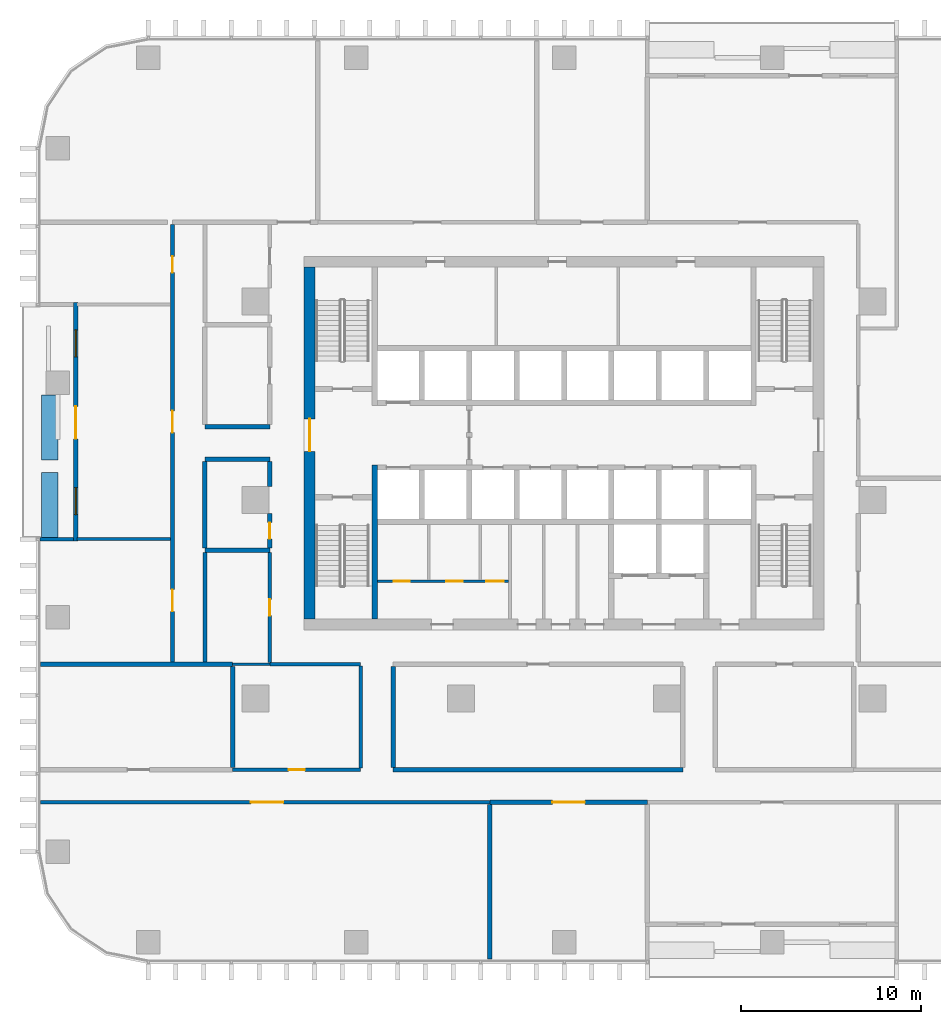
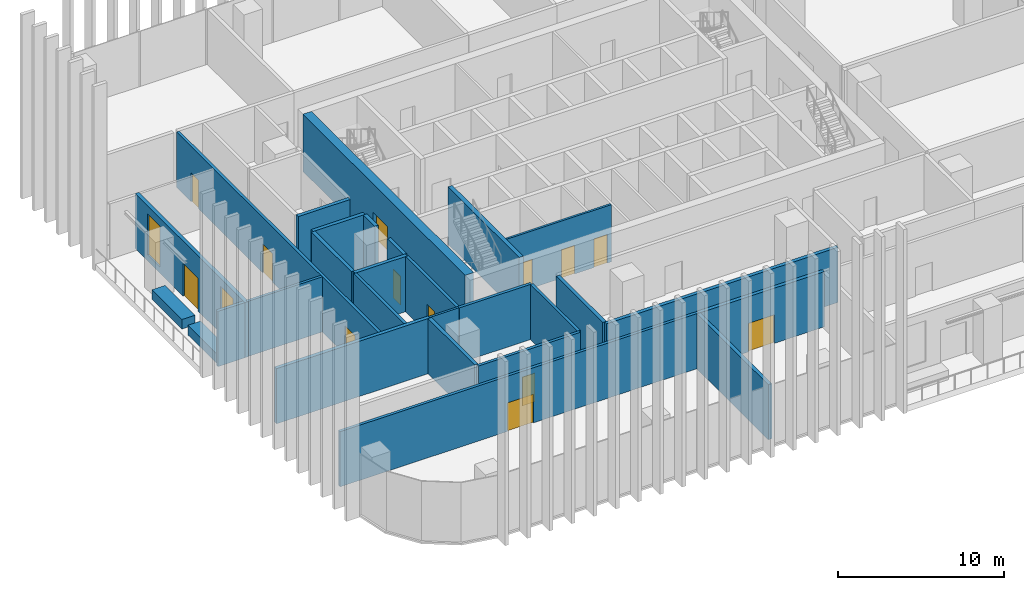
# One storey, part 7 of 17: 28 walls, 13 doors, 2 windows, 15 openings.
"""IFC4 building model written with IfcOpenShell, lengths in metres."""

from ifc_helpers import new_model, si_unit, direction, frame, frame_2d, origin, place, context, subcontext, project, spatial, rectangle, extrude, material, layer, layer_set, type_object, element, fill, save


model = new_model("IFC4")

# Units and contexts
model_context = context("Model", 3, precision=1e-05, world=origin(), true_north=direction((0.0, 1.0)))
body_context = subcontext(model_context, "Body", "Model", "MODEL_VIEW")
ifc_project = project(units=[si_unit("LENGTHUNIT", "METRE"), si_unit("AREAUNIT", "SQUARE_METRE"), si_unit("VOLUMEUNIT", "CUBIC_METRE"), si_unit("PLANEANGLEUNIT", "RADIAN"), si_unit("MASSUNIT", "GRAM", prefix="KILO")], contexts=[model_context])

# Site, building, storey
site_placement = place(None, origin())
site = spatial("IfcSite", under=ifc_project, at=site_placement, CompositionType="ELEMENT")
building_placement = place(site_placement, origin())
building = spatial("IfcBuilding", under=site, at=building_placement, Name="Mopane Tessera Tower", CompositionType="ELEMENT")
storey_placement = place(building_placement, frame((0.0, 0.0, 108.10009765625)))
storey = spatial("IfcBuildingStorey", under=building, at=storey_placement, Name="L21", CompositionType="ELEMENT", Elevation=108.10009765625)

# Wall, openings, doors
ifc_material_1 = material(Name="Fire-rated gypsum board partition")
ifc_layer_1 = layer(ifc_material_1, 0.14990234375)
ifc_layer_set_1 = layer_set([ifc_layer_1], Name="Fire-rated gypsum board partition")
wall_type_1 = type_object("IfcWallType", Name="Core room partition 150 mm", PredefinedType="PARTITIONING", material=ifc_layer_set_1)
wall_1_placement = place(storey_placement, frame((-10.35009765625, -4.5, 0.0), z_axis=(0.0, 0.0, 1.0), x_axis=(1.0, 0.0, 0.0)))
wall_1 = element("IfcWall", 1, at=wall_1_placement, inside=storey, type_object=wall_type_1, Name="L21 WC partition", PredefinedType="PARTITIONING", context=body_context, shape_type="SweptSolid", body=[
    extrude(rectangle(XDim=7.275146484375, YDim=0.14990234375, at=frame_2d((3.6376953125, 0.0))), origin(), (0.0, 0.0, 1.0), 4.199951171875),
])
opening_1_placement = place(wall_1_placement, frame((0.89990234375, 0.0, 0.0)))
opening_1 = element("IfcOpeningElement", 2, at=opening_1_placement, cuts=wall_1, Name="Opening WD1", PredefinedType="OPENING", context=body_context, shape_type="SweptSolid", body=[
    extrude(rectangle(XDim=0.89990234375, YDim=2.10009765625, at=frame_2d((0.449951171875, 1.050048828125))), frame((0.0, 0.0869140625, 0.0), z_axis=(0.0, -1.0, 0.0), x_axis=(1.0, 0.0, 0.0)), (0.0, 0.0, 1.0), 0.173828125),
])
opening_2_placement = place(wall_1_placement, frame((3.824951171875, 0.0, 0.0)))
opening_2 = element("IfcOpeningElement", 3, at=opening_2_placement, cuts=wall_1, Name="Opening WD1", PredefinedType="OPENING", context=body_context, shape_type="SweptSolid", body=[
    extrude(rectangle(XDim=0.89990234375, YDim=2.10009765625, at=frame_2d((0.449951171875, 1.050048828125))), frame((0.0, 0.0869140625, 0.0), z_axis=(0.0, -1.0, 0.0), x_axis=(1.0, 0.0, 0.0)), (0.0, 0.0, 1.0), 0.173828125),
])
opening_3_placement = place(wall_1_placement, frame((6.050048828125, 0.0, 0.0)))
opening_3 = element("IfcOpeningElement", 4, at=opening_3_placement, cuts=wall_1, Name="Opening WD2", PredefinedType="OPENING", context=body_context, shape_type="SweptSolid", body=[
    extrude(rectangle(XDim=0.949951171875, YDim=2.10009765625, at=frame_2d((0.47509765625, 1.050048828125))), frame((0.0, 0.0869140625, 0.0), z_axis=(0.0, -1.0, 0.0), x_axis=(1.0, 0.0, 0.0)), (0.0, 0.0, 1.0), 0.173828125),
])
ifc_material_2 = material(Name="Timber door", Category="wood")
door_type_1 = type_object("IfcDoorType", Name="Accessible WC door 950 x 2100", OperationType="SINGLE_SWING_LEFT", PredefinedType="DOOR", material=ifc_material_2)
door_1_placement = place(opening_3_placement, origin())
door_1 = element("IfcDoor", 5, at=door_1_placement, inside=storey, type_object=door_type_1, Name="L21 Accessible WC door", OperationType="SINGLE_SWING_LEFT", OverallHeight=2.10009765625, OverallWidth=0.949951171875, PredefinedType="DOOR", context=body_context, shape_type="SweptSolid", body=[
    extrude(rectangle(XDim=0.949951171875, YDim=2.10009765625, at=frame_2d((0.47509765625, 1.050048828125))), frame((0.0, 0.02490234375, 0.0), z_axis=(0.0, -1.0, 0.0), x_axis=(1.0, 0.0, 0.0)), (0.0, 0.0, 1.0), 0.050048828125),
])
fill(opening_3, door_1)
ifc_material_3 = material(Name="Timber door", Category="wood")
door_type_2 = type_object("IfcDoorType", Name="WC cubicle door 900 x 2100", OperationType="SINGLE_SWING_LEFT", PredefinedType="DOOR", material=ifc_material_3)
door_2_placement = place(opening_1_placement, origin())
door_2 = element("IfcDoor", 6, at=door_2_placement, inside=storey, type_object=door_type_2, Name="L21 Men's WC door", OperationType="SINGLE_SWING_LEFT", OverallHeight=2.10009765625, OverallWidth=0.89990234375, PredefinedType="DOOR", context=body_context, shape_type="SweptSolid", body=[
    extrude(rectangle(XDim=0.89990234375, YDim=2.10009765625, at=frame_2d((0.449951171875, 1.050048828125))), frame((0.0, 0.02490234375, 0.0), z_axis=(0.0, -1.0, 0.0), x_axis=(1.0, 0.0, 0.0)), (0.0, 0.0, 1.0), 0.050048828125),
])
fill(opening_1, door_2)
door_3_placement = place(opening_2_placement, origin())
door_3 = element("IfcDoor", 7, at=door_3_placement, inside=storey, type_object=door_type_2, Name="L21 Women's WC door", OperationType="SINGLE_SWING_LEFT", OverallHeight=2.10009765625, OverallWidth=0.89990234375, PredefinedType="DOOR", context=body_context, shape_type="SweptSolid", body=[
    extrude(rectangle(XDim=0.89990234375, YDim=2.10009765625, at=frame_2d((0.449951171875, 1.050048828125))), frame((0.0, 0.02490234375, 0.0), z_axis=(0.0, -1.0, 0.0), x_axis=(1.0, 0.0, 0.0)), (0.0, 0.0, 1.0), 0.050048828125),
])
fill(opening_2, door_3)

# Wall, opening, door
ifc_material_4 = material(Name="Concrete C70/85", Category="concrete")
ifc_layer_2 = layer(ifc_material_4, 0.60009765625)
ifc_layer_set_2 = layer_set([ifc_layer_2], Name="Concrete C70/85")
wall_type_2 = type_object("IfcWallType", Name="Core shear wall 600 mm", PredefinedType="SHEAR", material=ifc_layer_set_2)
wall_2_placement = place(storey_placement, frame((-14.10009765625, -6.60009765625, 0.0), z_axis=(0.0, 0.0, 1.0), x_axis=(0.0, 1.0, 0.0)))
wall_2 = element("IfcWall", 8, at=wall_2_placement, inside=storey, type_object=wall_type_2, Name="L21 Core wall west", PredefinedType="SHEAR", context=body_context, shape_type="SweptSolid", body=[
    extrude(rectangle(XDim=19.5, YDim=0.60009765625, at=frame_2d((9.75, 0.0))), origin(), (0.0, 0.0, 1.0), 4.199951171875),
])
opening_4_placement = place(wall_2_placement, frame((9.300048828125, 0.0, 0.0)))
opening_4 = element("IfcOpeningElement", 9, at=opening_4_placement, cuts=wall_2, Name="Opening SD2", PredefinedType="OPENING", context=body_context, shape_type="SweptSolid", body=[
    extrude(rectangle(XDim=1.800048828125, YDim=2.10009765625, at=frame_2d((0.89990234375, 1.050048828125))), frame((0.0, 0.31201171875, 0.0), z_axis=(0.0, -1.0, 0.0), x_axis=(1.0, 0.0, 0.0)), (0.0, 0.0, 1.0), 0.6240234375),
])
ifc_material_5 = material(Name="Steel fire door", Category="steel")
door_type_3 = type_object("IfcDoorType", Name="Core entrance double door 1800 x 2100", OperationType="DOUBLE_DOOR_SINGLE_SWING", PredefinedType="DOOR", material=ifc_material_5)
door_4_placement = place(opening_4_placement, origin())
door_4 = element("IfcDoor", 10, at=door_4_placement, inside=storey, type_object=door_type_3, Name="L21 Core entrance door west", OperationType="DOUBLE_DOOR_SINGLE_SWING", OverallHeight=2.10009765625, OverallWidth=1.800048828125, PredefinedType="DOOR", context=body_context, shape_type="SweptSolid", body=[
    extrude(rectangle(XDim=1.800048828125, YDim=2.10009765625, at=frame_2d((0.89990234375, 1.050048828125))), frame((0.0, 0.02490234375, 0.0), z_axis=(0.0, -1.0, 0.0), x_axis=(1.0, 0.0, 0.0)), (0.0, 0.0, 1.0), 0.050048828125),
])
fill(opening_4, door_4)

# Walls
ifc_material_6 = material(Name="Concrete C60/75", Category="concrete")
ifc_layer_3 = layer(ifc_material_6, 0.300048828125)
ifc_layer_set_3 = layer_set([ifc_layer_3], Name="Concrete C60/75")
wall_type_3 = type_object("IfcWallType", Name="Core spine wall 300 mm", PredefinedType="SHEAR", material=ifc_layer_set_3)
wall_3_placement = place(storey_placement, frame((-10.5, -6.60009765625, 0.0), z_axis=(0.0, 0.0, 1.0), x_axis=(0.0, 1.0, 0.0)))
element("IfcWall", 11, at=wall_3_placement, inside=storey, type_object=wall_type_3, Name="L21 Core spine wall", PredefinedType="SHEAR", context=body_context, shape_type="SweptSolid", body=[
    extrude(rectangle(XDim=8.550048828125, YDim=0.300048828125, at=frame_2d((4.27490234375, 0.0))), origin(), (0.0, 0.0, 1.0), 4.199951171875),
])
ifc_material_7 = material(Name="Gypsum board on staggered steel studs, double layer each face, acoustic mineral wool infill", Category="steel")
ifc_layer_4 = layer(ifc_material_7, 0.175048828125)
ifc_layer_set_4 = layer_set([ifc_layer_4], Name="Gypsum board on staggered steel studs, double layer each face, acoustic mineral wool infill")
wall_type_4 = type_object("IfcWallType", Name="Gypsum board acoustic partition 175, rated EI 60", PredefinedType="PARTITIONING", material=ifc_layer_set_4)
wall_4_placement = place(storey_placement, frame((-27.0, -2.1650390625, 0.0), z_axis=(0.0, 0.0, 1.0), x_axis=(1.0, 0.0, 0.0)))
element("IfcWall", 12, at=wall_4_placement, inside=storey, type_object=wall_type_4, Name="Partition L21:015", PredefinedType="PARTITIONING", context=body_context, shape_type="SweptSolid", body=[
    extrude(rectangle(XDim=5.199951171875, YDim=0.175048828125, at=frame_2d((2.60009765625, 0.0))), origin(), (0.0, 0.0, 1.0), 4.0498046875),
])

# Wall, opening, door
ifc_material_8 = material(Name="Gypsum board on steel studs, two layers each face, mineral wool infill", Category="steel")
ifc_layer_5 = layer(ifc_material_8, 0.199951171875)
ifc_layer_set_5 = layer_set([ifc_layer_5], Name="Gypsum board on steel studs, two layers each face, mineral wool infill")
wall_type_5 = type_object("IfcWallType", Name="Gypsum board corridor wall 200, rated EI 60", PredefinedType="PARTITIONING", material=ifc_layer_set_5)
wall_5_placement = place(storey_placement, frame((-29.0, -16.75, 0.0), z_axis=(0.0, 0.0, 1.0), x_axis=(1.0, 0.0, 0.0)))
wall_5 = element("IfcWall", 13, at=wall_5_placement, inside=storey, type_object=wall_type_5, Name="Partition L21:000", PredefinedType="PARTITIONING", context=body_context, shape_type="SweptSolid", body=[
    extrude(rectangle(XDim=24.885009765625, YDim=0.199951171875, at=frame_2d((12.4423828125, 0.0))), origin(), (0.0, 0.0, 1.0), 4.0498046875),
])
opening_5_placement = place(wall_5_placement, frame((11.642578125, 0.0, 0.0)))
opening_5 = element("IfcOpeningElement", 14, at=opening_5_placement, cuts=wall_5, Name="Opening L21-08", PredefinedType="OPENING", context=body_context, shape_type="SweptSolid", body=[
    extrude(rectangle(XDim=1.800048828125, YDim=2.10009765625, at=frame_2d((0.89990234375, 1.050048828125))), frame((0.0, 0.112060546875, 0.0), z_axis=(0.0, -1.0, 0.0), x_axis=(1.0, 0.0, 0.0)), (0.0, 0.0, 1.0), 0.223876953125),
])
ifc_material_9 = material(Name="Timber veneered steel-framed fire door", Category="steel")
door_type_4 = type_object("IfcDoorType", Name="Fire door pair FD60 1800 x 2100", OperationType="DOUBLE_DOOR_SINGLE_SWING", PredefinedType="DOOR", material=ifc_material_9)
door_5_placement = place(opening_5_placement, origin())
door_5 = element("IfcDoor", 15, at=door_5_placement, inside=storey, type_object=door_type_4, Name="Door L21-08", ObjectType="D20A", OperationType="DOUBLE_DOOR_SINGLE_SWING", OverallHeight=2.10009765625, OverallWidth=1.800048828125, PredefinedType="DOOR", context=body_context, shape_type="SweptSolid", body=[
    extrude(rectangle(XDim=1.800048828125, YDim=2.10009765625, at=frame_2d((0.89990234375, 1.050048828125))), frame((0.0, 0.02490234375, 0.0), z_axis=(0.0, -1.0, 0.0), x_axis=(1.0, 0.0, 0.0)), (0.0, 0.0, 1.0), 0.050048828125),
])
fill(opening_5, door_5)

wall_6_placement = place(storey_placement, frame((-18.364990234375, -14.949951171875, 0.0), z_axis=(0.0, 0.0, 1.0), x_axis=(1.0, 0.0, 0.0)))
wall_6 = element("IfcWall", 16, at=wall_6_placement, inside=storey, type_object=wall_type_5, Name="Partition L21:003", PredefinedType="PARTITIONING", context=body_context, shape_type="SweptSolid", body=[
    extrude(rectangle(XDim=7.094970703125, YDim=0.199951171875, at=frame_2d((3.54736328125, 0.0))), origin(), (0.0, 0.0, 1.0), 4.0498046875),
])
opening_6_placement = place(wall_6_placement, frame((3.097412109375, 0.0, 0.0)))
opening_6 = element("IfcOpeningElement", 17, at=opening_6_placement, cuts=wall_6, Name="Opening L21-14", PredefinedType="OPENING", context=body_context, shape_type="SweptSolid", body=[
    extrude(rectangle(XDim=0.89990234375, YDim=2.10009765625, at=frame_2d((0.449951171875, 1.050048828125))), frame((0.0, 0.112060546875, 0.0), z_axis=(0.0, -1.0, 0.0), x_axis=(1.0, 0.0, 0.0)), (0.0, 0.0, 1.0), 0.223876953125),
])
ifc_material_10 = material(Name="Timber veneered steel-framed fire door", Category="steel")
door_type_5 = type_object("IfcDoorType", Name="Fire door FD60 900 x 2100", OperationType="SINGLE_SWING_LEFT", PredefinedType="DOOR", material=ifc_material_10)
door_6_placement = place(opening_6_placement, origin())
door_6 = element("IfcDoor", 18, at=door_6_placement, inside=storey, type_object=door_type_5, Name="Door L21-14", ObjectType="D10A", OperationType="SINGLE_SWING_LEFT", OverallHeight=2.10009765625, OverallWidth=0.89990234375, PredefinedType="DOOR", context=body_context, shape_type="SweptSolid", body=[
    extrude(rectangle(XDim=0.89990234375, YDim=2.10009765625, at=frame_2d((0.449951171875, 1.050048828125))), frame((0.0, 0.02490234375, 0.0), z_axis=(0.0, -1.0, 0.0), x_axis=(1.0, 0.0, 0.0)), (0.0, 0.0, 1.0), 0.050048828125),
])
fill(opening_6, door_6)

# Wall
wall_7_placement = place(storey_placement, frame((-16.300048828125, -9.10009765625, 0.0), z_axis=(0.0, 0.0, 1.0), x_axis=(1.0, 0.0, 0.0)))
element("IfcWall", 19, at=wall_7_placement, inside=storey, type_object=wall_type_5, Name="Partition L21:009", PredefinedType="PARTITIONING", context=body_context, shape_type="SweptSolid", body=[
    extrude(rectangle(XDim=5.030029296875, YDim=0.199951171875, at=frame_2d((2.51513671875, 0.0))), origin(), (0.0, 0.0, 1.0), 4.0498046875),
])

# Wall, openings, doors
wall_8_placement = place(storey_placement, frame((-21.699951171875, -8.97509765625, 0.0), z_axis=(0.0, 0.0, 1.0), x_axis=(0.0, 1.0, 0.0)))
wall_8 = element("IfcWall", 20, at=wall_8_placement, inside=storey, type_object=wall_type_5, Name="Partition L21:027", PredefinedType="PARTITIONING", context=body_context, shape_type="SweptSolid", body=[
    extrude(rectangle(XDim=24.25, YDim=0.199951171875, at=frame_2d((12.125, 0.0))), origin(), (0.0, 0.0, 1.0), 4.0498046875),
])
opening_7_placement = place(wall_8_placement, frame((2.804931640625, 0.0, 0.0)))
opening_7 = element("IfcOpeningElement", 21, at=opening_7_placement, cuts=wall_8, Name="Opening L21-03", PredefinedType="OPENING", context=body_context, shape_type="SweptSolid", body=[
    extrude(rectangle(XDim=1.199951171875, YDim=2.10009765625, at=frame_2d((0.60009765625, 1.050048828125))), frame((0.0, 0.112060546875, 0.0), z_axis=(0.0, -1.0, 0.0), x_axis=(1.0, 0.0, 0.0)), (0.0, 0.0, 1.0), 0.223876953125),
])
opening_8_placement = place(wall_8_placement, frame((21.580078125, 0.0, 0.0)))
opening_8 = element("IfcOpeningElement", 22, at=opening_8_placement, cuts=wall_8, Name="Opening L21-07", PredefinedType="OPENING", context=body_context, shape_type="SweptSolid", body=[
    extrude(rectangle(XDim=0.89990234375, YDim=2.10009765625, at=frame_2d((0.449951171875, 1.050048828125))), frame((0.0, 0.112060546875, 0.0), z_axis=(0.0, -1.0, 0.0), x_axis=(1.0, 0.0, 0.0)), (0.0, 0.0, 1.0), 0.223876953125),
])
opening_9_placement = place(wall_8_placement, frame((12.7099609375, 0.0, 0.0)))
opening_9 = element("IfcOpeningElement", 23, at=opening_9_placement, cuts=wall_8, Name="Opening L21-16", PredefinedType="OPENING", context=body_context, shape_type="SweptSolid", body=[
    extrude(rectangle(XDim=1.199951171875, YDim=2.10009765625, at=frame_2d((0.60009765625, 1.050048828125))), frame((0.0, 0.112060546875, 0.0), z_axis=(0.0, -1.0, 0.0), x_axis=(1.0, 0.0, 0.0)), (0.0, 0.0, 1.0), 0.223876953125),
])
ifc_material_11 = material(Name="Timber veneered steel-framed fire door", Category="steel")
door_type_6 = type_object("IfcDoorType", Name="Fire door FD60 1200 x 2100", OperationType="SINGLE_SWING_LEFT", PredefinedType="DOOR", material=ifc_material_11)
door_7_placement = place(opening_7_placement, origin())
door_7 = element("IfcDoor", 24, at=door_7_placement, inside=storey, type_object=door_type_6, Name="Door L21-03", ObjectType="D15A", OperationType="SINGLE_SWING_RIGHT", OverallHeight=2.10009765625, OverallWidth=1.199951171875, PredefinedType="DOOR", context=body_context, shape_type="SweptSolid", body=[
    extrude(rectangle(XDim=1.199951171875, YDim=2.10009765625, at=frame_2d((0.60009765625, 1.050048828125))), frame((0.0, 0.02490234375, 0.0), z_axis=(0.0, -1.0, 0.0), x_axis=(1.0, 0.0, 0.0)), (0.0, 0.0, 1.0), 0.050048828125),
])
fill(opening_7, door_7)
door_8_placement = place(opening_9_placement, origin())
door_8 = element("IfcDoor", 25, at=door_8_placement, inside=storey, type_object=door_type_6, Name="Door L21-16", ObjectType="D15A", OperationType="SINGLE_SWING_LEFT", OverallHeight=2.10009765625, OverallWidth=1.199951171875, PredefinedType="DOOR", context=body_context, shape_type="SweptSolid", body=[
    extrude(rectangle(XDim=1.199951171875, YDim=2.10009765625, at=frame_2d((0.60009765625, 1.050048828125))), frame((0.0, 0.02490234375, 0.0), z_axis=(0.0, -1.0, 0.0), x_axis=(1.0, 0.0, 0.0)), (0.0, 0.0, 1.0), 0.050048828125),
])
fill(opening_9, door_8)
door_9_placement = place(opening_8_placement, origin())
door_9 = element("IfcDoor", 26, at=door_9_placement, inside=storey, type_object=door_type_5, Name="Door L21-07", ObjectType="D10A", OperationType="SINGLE_SWING_RIGHT", OverallHeight=2.10009765625, OverallWidth=0.89990234375, PredefinedType="DOOR", context=body_context, shape_type="SweptSolid", body=[
    extrude(rectangle(XDim=0.89990234375, YDim=2.10009765625, at=frame_2d((0.449951171875, 1.050048828125))), frame((0.0, 0.02490234375, 0.0), z_axis=(0.0, -1.0, 0.0), x_axis=(1.0, 0.0, 0.0)), (0.0, 0.0, 1.0), 0.050048828125),
])
fill(opening_8, door_9)

# Wall
wall_9_placement = place(storey_placement, frame((-19.89990234375, -8.97509765625, 0.0), z_axis=(0.0, 0.0, 1.0), x_axis=(0.0, 1.0, 0.0)))
element("IfcWall", 27, at=wall_9_placement, inside=storey, type_object=wall_type_5, Name="Partition L21:028", PredefinedType="PARTITIONING", context=body_context, shape_type="SweptSolid", body=[
    extrude(rectangle(XDim=6.06005859375, YDim=0.199951171875, at=frame_2d((3.030029296875, 0.0))), origin(), (0.0, 0.0, 1.0), 4.0498046875),
])

# Wall, opening, door
wall_10_placement = place(storey_placement, frame((-16.300048828125, -9.0, 0.0), z_axis=(0.0, 0.0, 1.0), x_axis=(0.0, 1.0, 0.0)))
wall_10 = element("IfcWall", 28, at=wall_10_placement, inside=storey, type_object=wall_type_5, Name="Partition L21:033", PredefinedType="PARTITIONING", context=body_context, shape_type="SweptSolid", body=[
    extrude(rectangle(XDim=6.0849609375, YDim=0.199951171875, at=frame_2d((3.04248046875, 0.0))), origin(), (0.0, 0.0, 1.0), 4.0498046875),
])
opening_10_placement = place(wall_10_placement, frame((2.592529296875, 0.0, 0.0)))
opening_10 = element("IfcOpeningElement", 29, at=opening_10_placement, cuts=wall_10, Name="Opening L21-13", PredefinedType="OPENING", context=body_context, shape_type="SweptSolid", body=[
    extrude(rectangle(XDim=0.89990234375, YDim=2.10009765625, at=frame_2d((0.449951171875, 1.050048828125))), frame((0.0, 0.112060546875, 0.0), z_axis=(0.0, -1.0, 0.0), x_axis=(1.0, 0.0, 0.0)), (0.0, 0.0, 1.0), 0.223876953125),
])
door_10_placement = place(opening_10_placement, origin())
door_10 = element("IfcDoor", 30, at=door_10_placement, inside=storey, type_object=door_type_5, Name="Door L21-13", ObjectType="D10A", OperationType="SINGLE_SWING_RIGHT", OverallHeight=2.10009765625, OverallWidth=0.89990234375, PredefinedType="DOOR", context=body_context, shape_type="SweptSolid", body=[
    extrude(rectangle(XDim=0.89990234375, YDim=2.10009765625, at=frame_2d((0.449951171875, 1.050048828125))), frame((0.0, 0.02490234375, 0.0), z_axis=(0.0, -1.0, 0.0), x_axis=(1.0, 0.0, 0.0)), (0.0, 0.0, 1.0), 0.050048828125),
])
fill(opening_10, door_10)

# Walls
wall_11_placement = place(storey_placement, frame((-11.27001953125, -14.85009765625, 0.0), z_axis=(0.0, 0.0, 1.0), x_axis=(0.0, 1.0, 0.0)))
element("IfcWall", 31, at=wall_11_placement, inside=storey, type_object=wall_type_5, Name="Partition L21:040", PredefinedType="PARTITIONING", context=body_context, shape_type="SweptSolid", body=[
    extrude(rectangle(XDim=5.650146484375, YDim=0.199951171875, at=frame_2d((2.8251953125, 0.0))), origin(), (0.0, 0.0, 1.0), 4.0498046875),
])
ifc_material_12 = material(Name="Gypsum board on steel studs, mineral wool infill", Category="steel")
ifc_layer_6 = layer(ifc_material_12, 0.14990234375)
ifc_layer_set_6 = layer_set([ifc_layer_6], Name="Gypsum board on steel studs, mineral wool infill")
wall_type_6 = type_object("IfcWallType", Name="Gypsum board partition 150, rated EI 60", PredefinedType="PARTITIONING", material=ifc_layer_set_6)
wall_12_placement = place(storey_placement, frame((-18.364990234375, -9.10009765625, 0.0), z_axis=(0.0, 0.0, 1.0), x_axis=(1.0, 0.0, 0.0)))
element("IfcWall", 32, at=wall_12_placement, inside=storey, type_object=wall_type_6, Name="Partition L21:008", PredefinedType="PARTITIONING", context=body_context, shape_type="SweptSolid", body=[
    extrude(rectangle(XDim=2.06494140625, YDim=0.14990234375, at=frame_2d((1.032470703125, 0.0))), origin(), (0.0, 0.0, 1.0), 4.0498046875),
])
ifc_material_13 = material(Name="Reinforced concrete C32/40 with waterproofing", Category="concrete")
ifc_layer_7 = layer(ifc_material_13, 0.89990234375)
ifc_layer_set_7 = layer_set([ifc_layer_7], Name="Reinforced concrete C32/40 with waterproofing")
wall_type_7 = type_object("IfcWallType", Name="Planter trough 3600 x 900", PredefinedType="STANDARD", material=ifc_layer_set_7)
for number, where, z_axis, x_axis, name in (
    (33, (-28.5, 5.830078125, 0.0), (0.0, 0.0, 1.0), (0.0, -1.0, 0.0), "e:nw:L21:N2:pl0"),
    (34, (-28.5, 1.533447265625, 0.0), (0.0, 0.0, 1.0), (0.0, -1.0, 0.0), "e:nw:L21:N2:pl1"),
):
    element("IfcWall", number, at=place(storey_placement, frame(where, z_axis=z_axis, x_axis=x_axis)), inside=storey, type_object=wall_type_7, Name=name, PredefinedType="STANDARD", context=body_context, shape_type="SweptSolid", body=[
        extrude(rectangle(XDim=3.60009765625, YDim=0.89990234375, at=frame_2d((1.800048828125, 0.0))), origin(), (0.0, 0.0, 1.0), 0.699951171875),
    ])

# Wall, opening, door
ifc_material_14 = material(Name="Plastered concrete blockwork C20/25", Category="masonry")
ifc_layer_8 = layer(ifc_material_14, 0.25)
ifc_layer_set_8 = layer_set([ifc_layer_8], Name="Plastered concrete blockwork C20/25")
wall_type_8 = type_object("IfcWallType", Name="Plastered blockwork wall 250, rated EI 120", PredefinedType="PARTITIONING", material=ifc_layer_set_8)
wall_13_placement = place(storey_placement, frame((-4.114990234375, -16.75, 0.0), z_axis=(0.0, 0.0, 1.0), x_axis=(1.0, 0.0, 0.0)))
wall_13 = element("IfcWall", 35, at=wall_13_placement, inside=storey, type_object=wall_type_8, Name="Partition L21:002", PredefinedType="PARTITIONING", context=body_context, shape_type="SweptSolid", body=[
    extrude(rectangle(XDim=8.72509765625, YDim=0.25, at=frame_2d((4.362548828125, 0.0))), origin(), (0.0, 0.0, 1.0), 4.0498046875),
])
opening_11_placement = place(wall_13_placement, frame((3.46240234375, 0.0, 0.0)))
opening_11 = element("IfcOpeningElement", 36, at=opening_11_placement, cuts=wall_13, Name="Opening L21-22", PredefinedType="OPENING", context=body_context, shape_type="SweptSolid", body=[
    extrude(rectangle(XDim=1.800048828125, YDim=2.10009765625, at=frame_2d((0.89990234375, 1.050048828125))), frame((0.0, 0.136962890625, 0.0), z_axis=(0.0, -1.0, 0.0), x_axis=(1.0, 0.0, 0.0)), (0.0, 0.0, 1.0), 0.27392578125),
])
ifc_material_15 = material(Name="Timber veneered steel-framed fire door", Category="steel")
door_type_7 = type_object("IfcDoorType", Name="Fire door pair FD120 1800 x 2100", OperationType="DOUBLE_DOOR_SINGLE_SWING", PredefinedType="DOOR", material=ifc_material_15)
door_11_placement = place(opening_11_placement, origin())
door_11 = element("IfcDoor", 37, at=door_11_placement, inside=storey, type_object=door_type_7, Name="Door L21-22", ObjectType="D20B", OperationType="DOUBLE_DOOR_SINGLE_SWING", OverallHeight=2.10009765625, OverallWidth=1.800048828125, PredefinedType="DOOR", context=body_context, shape_type="SweptSolid", body=[
    extrude(rectangle(XDim=1.800048828125, YDim=2.10009765625, at=frame_2d((0.89990234375, 1.050048828125))), frame((0.0, 0.02490234375, 0.0), z_axis=(0.0, -1.0, 0.0), x_axis=(1.0, 0.0, 0.0)), (0.0, 0.0, 1.0), 0.050048828125),
])
fill(opening_11, door_11)

# Walls
wall_14_placement = place(storey_placement, frame((-9.469970703125, -14.949951171875, 0.0), z_axis=(0.0, 0.0, 1.0), x_axis=(1.0, 0.0, 0.0)))
element("IfcWall", 38, at=wall_14_placement, inside=storey, type_object=wall_type_8, Name="Partition L21:006", PredefinedType="PARTITIONING", context=body_context, shape_type="SweptSolid", body=[
    extrude(rectangle(XDim=16.06005859375, YDim=0.25, at=frame_2d((8.030029296875, 0.0))), origin(), (0.0, 0.0, 1.0), 4.0498046875),
])
wall_15_placement = place(storey_placement, frame((-29.0, -9.10009765625, 0.0), z_axis=(0.0, 0.0, 1.0), x_axis=(1.0, 0.0, 0.0)))
element("IfcWall", 39, at=wall_15_placement, inside=storey, type_object=wall_type_8, Name="Partition L21:010", PredefinedType="PARTITIONING", context=body_context, shape_type="SweptSolid", body=[
    extrude(rectangle(XDim=10.635009765625, YDim=0.25, at=frame_2d((5.3173828125, 0.0))), origin(), (0.0, 0.0, 1.0), 4.0498046875),
])
for number, where, z_axis, x_axis, name in (
    (40, (-19.89990234375, -2.7900390625, 0.0), (0.0, 0.0, 1.0), (1.0, 0.0, 0.0), "Partition L21:014"),
    (41, (-19.89990234375, 2.25, 0.0), (0.0, 0.0, 1.0), (1.0, 0.0, 0.0), "Partition L21:017"),
    (42, (-19.89990234375, 4.050048828125, 0.0), (0.0, 0.0, 1.0), (1.0, 0.0, 0.0), "Partition L21:018"),
):
    element("IfcWall", number, at=place(storey_placement, frame(where, z_axis=z_axis, x_axis=x_axis)), inside=storey, type_object=wall_type_8, Name=name, PredefinedType="PARTITIONING", context=body_context, shape_type="SweptSolid", body=[
        extrude(rectangle(XDim=3.599853515625, YDim=0.25, at=frame_2d((1.7998046875, 0.0))), origin(), (0.0, 0.0, 1.0), 4.0498046875),
    ])
wall_16_placement = place(storey_placement, frame((-19.89990234375, -2.6650390625, 0.0), z_axis=(0.0, 0.0, 1.0), x_axis=(0.0, 1.0, 0.0)))
element("IfcWall", 43, at=wall_16_placement, inside=storey, type_object=wall_type_8, Name="Partition L21:030", PredefinedType="PARTITIONING", context=body_context, shape_type="SweptSolid", body=[
    extrude(rectangle(XDim=4.7900390625, YDim=0.25, at=frame_2d((2.39501953125, 0.0))), origin(), (0.0, 0.0, 1.0), 4.0498046875),
])
wall_17_placement = place(storey_placement, frame((-18.364990234375, -14.824951171875, 0.0), z_axis=(0.0, 0.0, 1.0), x_axis=(0.0, 1.0, 0.0)))
element("IfcWall", 44, at=wall_17_placement, inside=storey, type_object=wall_type_8, Name="Partition L21:032", PredefinedType="PARTITIONING", context=body_context, shape_type="SweptSolid", body=[
    extrude(rectangle(XDim=5.599853515625, YDim=0.25, at=frame_2d((2.7998046875, 0.0))), origin(), (0.0, 0.0, 1.0), 4.0498046875),
])

# Wall, opening, door
wall_18_placement = place(storey_placement, frame((-16.300048828125, -2.6650390625, 0.0), z_axis=(0.0, 0.0, 1.0), x_axis=(0.0, 1.0, 0.0)))
wall_18 = element("IfcWall", 45, at=wall_18_placement, inside=storey, type_object=wall_type_8, Name="Partition L21:036", PredefinedType="PARTITIONING", context=body_context, shape_type="SweptSolid", body=[
    extrude(rectangle(XDim=1.9150390625, YDim=0.25, at=frame_2d((0.95751953125, 0.0))), origin(), (0.0, 0.0, 1.0), 4.0498046875),
])
opening_12_placement = place(wall_18_placement, frame((0.507568359375, 0.0, 0.0)))
opening_12 = element("IfcOpeningElement", 46, at=opening_12_placement, cuts=wall_18, Name="Opening L21-15", PredefinedType="OPENING", context=body_context, shape_type="SweptSolid", body=[
    extrude(rectangle(XDim=0.89990234375, YDim=2.10009765625, at=frame_2d((0.449951171875, 1.050048828125))), frame((0.0, 0.136962890625, 0.0), z_axis=(0.0, -1.0, 0.0), x_axis=(1.0, 0.0, 0.0)), (0.0, 0.0, 1.0), 0.27392578125),
])
ifc_material_16 = material(Name="Timber veneered steel-framed fire door", Category="steel")
door_type_8 = type_object("IfcDoorType", Name="Fire door FD120 900 x 2100", OperationType="SINGLE_SWING_LEFT", PredefinedType="DOOR", material=ifc_material_16)
door_12_placement = place(opening_12_placement, origin())
door_12 = element("IfcDoor", 47, at=door_12_placement, inside=storey, type_object=door_type_8, Name="Door L21-15", ObjectType="D10B", OperationType="SINGLE_SWING_LEFT", OverallHeight=2.10009765625, OverallWidth=0.89990234375, PredefinedType="DOOR", context=body_context, shape_type="SweptSolid", body=[
    extrude(rectangle(XDim=0.89990234375, YDim=2.10009765625, at=frame_2d((0.449951171875, 1.050048828125))), frame((0.0, 0.02490234375, 0.0), z_axis=(0.0, -1.0, 0.0), x_axis=(1.0, 0.0, 0.0)), (0.0, 0.0, 1.0), 0.050048828125),
])
fill(opening_12, door_12)

# Walls
wall_19_placement = place(storey_placement, frame((-16.300048828125, 0.75, 0.0), z_axis=(0.0, 0.0, 1.0), x_axis=(0.0, 1.0, 0.0)))
element("IfcWall", 48, at=wall_19_placement, inside=storey, type_object=wall_type_8, Name="Partition L21:037", PredefinedType="PARTITIONING", context=body_context, shape_type="SweptSolid", body=[
    extrude(rectangle(XDim=1.375, YDim=0.25, at=frame_2d((0.6875, 0.0))), origin(), (0.0, 0.0, 1.0), 4.0498046875),
])
wall_20_placement = place(storey_placement, frame((-9.469970703125, -14.824951171875, 0.0), z_axis=(0.0, 0.0, 1.0), x_axis=(0.0, 1.0, 0.0)))
element("IfcWall", 49, at=wall_20_placement, inside=storey, type_object=wall_type_8, Name="Partition L21:041", PredefinedType="PARTITIONING", context=body_context, shape_type="SweptSolid", body=[
    extrude(rectangle(XDim=5.599853515625, YDim=0.25, at=frame_2d((2.7998046875, 0.0))), origin(), (0.0, 0.0, 1.0), 4.0498046875),
])
wall_21_placement = place(storey_placement, frame((-4.114990234375, -25.449951171875, 0.0), z_axis=(0.0, 0.0, 1.0), x_axis=(0.0, 1.0, 0.0)))
element("IfcWall", 50, at=wall_21_placement, inside=storey, type_object=wall_type_8, Name="Partition L21:042", PredefinedType="PARTITIONING", context=body_context, shape_type="SweptSolid", body=[
    extrude(rectangle(XDim=8.574951171875, YDim=0.25, at=frame_2d((4.28759765625, 0.0))), origin(), (0.0, 0.0, 1.0), 4.0498046875),
])
ifc_material_17 = material(Name="Blockwork with glazed tile facing", Category="masonry")
ifc_layer_9 = layer(ifc_material_17, 0.199951171875)
ifc_layer_set_9 = layer_set([ifc_layer_9], Name="Blockwork with glazed tile facing")
wall_type_9 = type_object("IfcWallType", Name="Terrace cheek wall 200", PredefinedType="STANDARD", material=ifc_layer_set_9)
wall_22_placement = place(storey_placement, frame((-29.050048828125, -2.166748046875, 0.0), z_axis=(0.0, 0.0, 1.0), x_axis=(1.0, 0.0, 0.0)))
element("IfcWall", 51, at=wall_22_placement, inside=storey, type_object=wall_type_9, Name="e:nw:L21:N2:cheekb", PredefinedType="STANDARD", context=body_context, shape_type="SweptSolid", body=[
    extrude(rectangle(XDim=1.875, YDim=0.199951171875, at=frame_2d((0.9375, 0.0))), origin(), (0.0, 0.0, 1.0), 4.0498046875),
])

# Wall, openings, windows, door
ifc_material_18 = material(Name="Blockwork with turquoise glazed tile facing", Category="masonry")
ifc_layer_10 = layer(ifc_material_18, 0.25)
ifc_layer_set_10 = layer_set([ifc_layer_10], Name="Blockwork with turquoise glazed tile facing")
wall_type_10 = type_object("IfcWallType", Name="Tile-clad external wall 250, turquoise", PredefinedType="STANDARD", material=ifc_layer_set_10)
wall_23_placement = place(storey_placement, frame((-27.050048828125, 10.933349609375, 0.0), z_axis=(0.0, 0.0, 1.0), x_axis=(0.0, -1.0, 0.0)))
wall_23 = element("IfcWall", 52, at=wall_23_placement, inside=storey, type_object=wall_type_10, Name="e:nw:L21:N2:back", PredefinedType="STANDARD", context=body_context, shape_type="SweptSolid", body=[
    extrude(rectangle(XDim=13.199951171875, YDim=0.25, at=frame_2d((6.60009765625, 0.0))), origin(), (0.0, 0.0, 1.0), 4.0498046875),
])
opening_13_placement = place(wall_23_placement, frame((1.5, 0.0, 0.449951171875)))
opening_13 = element("IfcOpeningElement", 53, at=opening_13_placement, cuts=wall_23, Name="Opening NW212A", PredefinedType="OPENING", context=body_context, shape_type="SweptSolid", body=[
    extrude(rectangle(XDim=1.5, YDim=3.0, at=frame_2d((0.75, 1.5))), frame((0.0, 0.136962890625, 0.0), z_axis=(0.0, -1.0, 0.0), x_axis=(1.0, 0.0, 0.0)), (0.0, 0.0, 1.0), 0.27392578125),
])
opening_14_placement = place(wall_23_placement, frame((5.75, 0.0, 0.0)))
opening_14 = element("IfcOpeningElement", 54, at=opening_14_placement, cuts=wall_23, Name="Opening ND212", PredefinedType="OPENING", context=body_context, shape_type="SweptSolid", body=[
    extrude(rectangle(XDim=1.800048828125, YDim=2.39990234375, at=frame_2d((0.89990234375, 1.199951171875))), frame((0.0, 0.136962890625, 0.0), z_axis=(0.0, -1.0, 0.0), x_axis=(1.0, 0.0, 0.0)), (0.0, 0.0, 1.0), 0.27392578125),
])
opening_15_placement = place(wall_23_placement, frame((10.25, 0.0, 0.449951171875)))
opening_15 = element("IfcOpeningElement", 55, at=opening_15_placement, cuts=wall_23, Name="Opening NW212B", PredefinedType="OPENING", context=body_context, shape_type="SweptSolid", body=[
    extrude(rectangle(XDim=1.5, YDim=3.0, at=frame_2d((0.75, 1.5))), frame((0.0, 0.136962890625, 0.0), z_axis=(0.0, -1.0, 0.0), x_axis=(1.0, 0.0, 0.0)), (0.0, 0.0, 1.0), 0.27392578125),
])
ifc_material_19 = material(Name="Clear laminated glass", Category="glass")
window_type = type_object("IfcWindowType", Name="Fixed window 1500 x 3000", PartitioningType="SINGLE_PANEL", PredefinedType="WINDOW", material=ifc_material_19)
window_1_placement = place(opening_13_placement, origin())
window_1 = element("IfcWindow", 56, at=window_1_placement, inside=storey, type_object=window_type, Name="e:nw:L21:N2:win0", OverallHeight=3.0, OverallWidth=1.5, PartitioningType="SINGLE_PANEL", PredefinedType="WINDOW", context=body_context, shape_type="SweptSolid", body=[
    extrude(rectangle(XDim=1.5, YDim=3.0, at=frame_2d((0.75, 1.5))), frame((0.0, 0.030029296875, 0.0), z_axis=(0.0, -1.0, 0.0), x_axis=(1.0, 0.0, 0.0)), (0.0, 0.0, 1.0), 0.06005859375),
])
fill(opening_13, window_1)
window_2_placement = place(opening_15_placement, origin())
window_2 = element("IfcWindow", 57, at=window_2_placement, inside=storey, type_object=window_type, Name="e:nw:L21:N2:win2", OverallHeight=3.0, OverallWidth=1.5, PartitioningType="SINGLE_PANEL", PredefinedType="WINDOW", context=body_context, shape_type="SweptSolid", body=[
    extrude(rectangle(XDim=1.5, YDim=3.0, at=frame_2d((0.75, 1.5))), frame((0.0, 0.030029296875, 0.0), z_axis=(0.0, -1.0, 0.0), x_axis=(1.0, 0.0, 0.0)), (0.0, 0.0, 1.0), 0.06005859375),
])
fill(opening_15, window_2)
ifc_material_20 = material(Name="Aluminium and clear glass", Category="aluminium")
door_type_9 = type_object("IfcDoorType", Name="Terrace double door 1800 x 2400", OperationType="DOUBLE_DOOR_SINGLE_SWING", PredefinedType="DOOR", material=ifc_material_20)
door_13_placement = place(opening_14_placement, origin())
door_13 = element("IfcDoor", 58, at=door_13_placement, inside=storey, type_object=door_type_9, Name="e:nw:L21:N2:door", ObjectType="D1", OperationType="DOUBLE_DOOR_SINGLE_SWING", OverallHeight=2.39990234375, OverallWidth=1.800048828125, PredefinedType="DOOR", context=body_context, shape_type="SweptSolid", body=[
    extrude(rectangle(XDim=1.800048828125, YDim=2.39990234375, at=frame_2d((0.89990234375, 1.199951171875))), frame((0.0, 0.02490234375, 0.0), z_axis=(0.0, -1.0, 0.0), x_axis=(1.0, 0.0, 0.0)), (0.0, 0.0, 1.0), 0.050048828125),
])
fill(opening_14, door_13)

save(model, "model.ifc")
